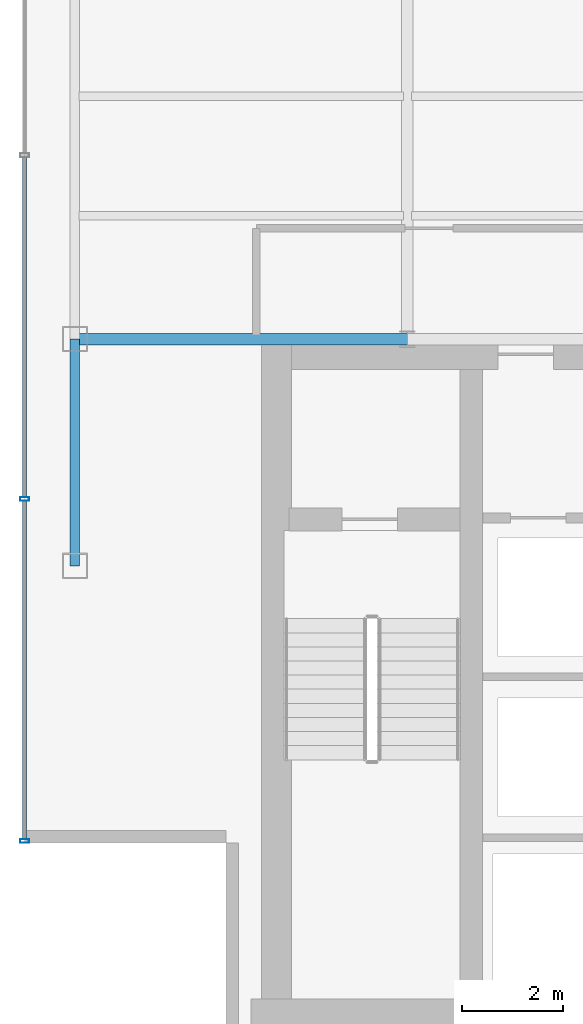
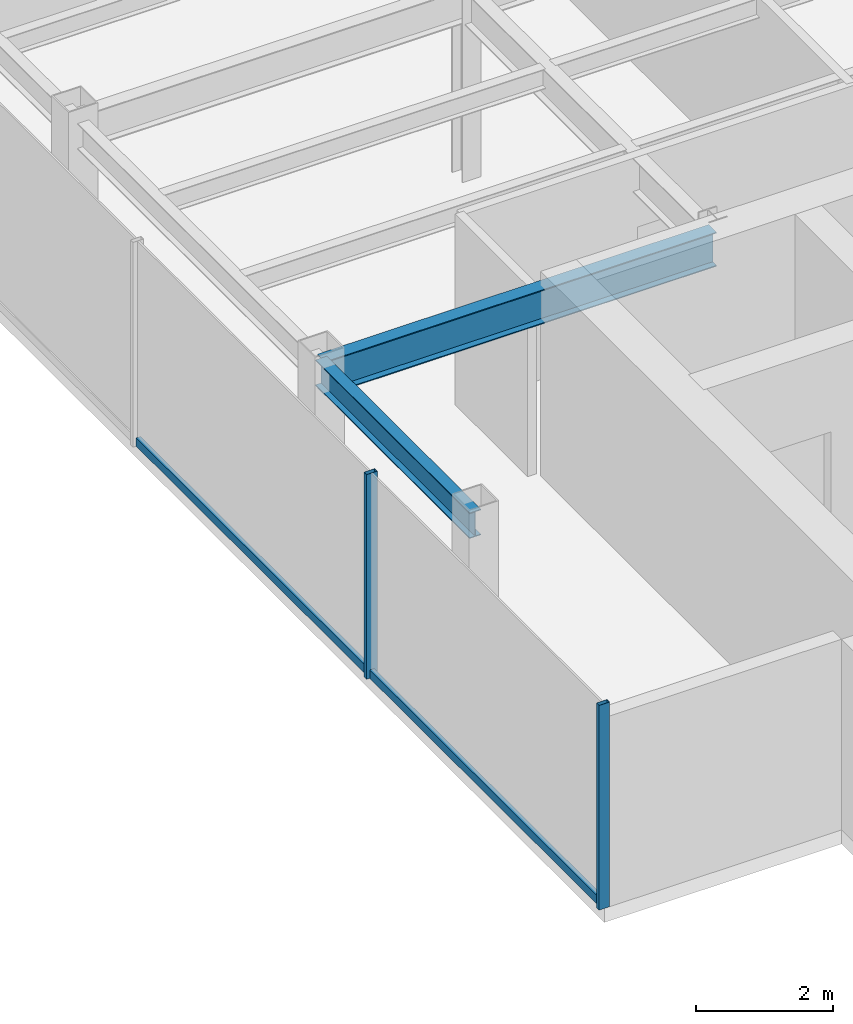
# One storey, part 3 of 22: 4 members, 2 beams, 1 element without a shape of its own.
"""IFC4 building model written with IfcOpenShell, lengths in metres."""

import ifcopenshell
import ifcopenshell.guid

model = None  # the IFC model being written
_history = None  # IfcOwnerHistory: only IFC2X3 demands one
_inside = {}  # id of a spatial element -> (the spatial element, [elements in it])
_under = {}  # id of a project, library or spatial element -> (it, [spatial elements below it])
_declared = {}  # id of a project -> (the project, [libraries it declares])
_typed = {}  # id of a type object -> (the type object, [elements of that type])
_made_of = {}  # id of a material, layer set ... -> (it, [elements and type objects made of it])


def new_model(schema):
    """Start an empty IFC model of exactly this schema.

    Asked for "IFC4X3", IfcOpenShell would pick the latest addendum, in which some entities
    have other attributes; the version numbers below select the first issue.
    IFC2X3 requires an IfcOwnerHistory on every rooted entity: one is made here for all.
    """
    global model, _history
    if schema == "IFC4X3":
        model = ifcopenshell.file(schema_version=(4, 3, 0, 0))
    else:
        model = ifcopenshell.file(schema=schema)
    _inside.clear()
    _under.clear()
    _declared.clear()
    _typed.clear()
    _made_of.clear()
    _history = None
    if model.schema == "IFC2X3":
        org = make("IfcOrganization", Name="unknown")
        user = make(
            "IfcPersonAndOrganization",
            ThePerson=make("IfcPerson", FamilyName="unknown"),
            TheOrganization=org,
        )
        app = make(
            "IfcApplication",
            ApplicationDeveloper=org,
            Version="unknown",
            ApplicationFullName="unknown",
            ApplicationIdentifier="unknown",
        )
        _history = make(
            "IfcOwnerHistory",
            OwningUser=user,
            OwningApplication=app,
            ChangeAction="ADDED",
            CreationDate=0,
        )
    return model


def make(cls, **values):
    """One entity of the class cls with the attributes given. An attribute that is None is left unset."""
    return model.create_entity(
        cls, **{name: value for name, value in values.items() if value is not None}
    )


def rooted(cls, **values):
    """An entity with a GlobalId (a new one), such as an element, a storey or a relation."""
    return make(cls, GlobalId=ifcopenshell.guid.new(), OwnerHistory=_history, **values)


def si_unit(unit_type, name, prefix=None):
    """IfcSIUnit, for example si_unit("LENGTHUNIT", "METRE", prefix="MILLI")."""
    return make("IfcSIUnit", UnitType=unit_type, Prefix=prefix, Name=name)


def derived_unit(unit_type, elements):
    """IfcDerivedUnit: a product of units, each with its exponent."""
    return make(
        "IfcDerivedUnit",
        Elements=[
            make("IfcDerivedUnitElement", Unit=unit, Exponent=power)
            for unit, power in elements
        ],
        UnitType=unit_type,
    )


def assignment(units):
    """IfcUnitAssignment: the units of a project."""
    return None if units is None else make("IfcUnitAssignment", Units=units)


def point(xyz):
    """IfcCartesianPoint."""
    return None if xyz is None else make("IfcCartesianPoint", Coordinates=xyz)


def direction(xyz):
    """IfcDirection."""
    return None if xyz is None else make("IfcDirection", DirectionRatios=xyz)


def frame(location, z_axis=None, x_axis=None):
    """IfcAxis2Placement3D, a coordinate frame: its origin and axes. An axis left out is left unset."""
    return make(
        "IfcAxis2Placement3D",
        Location=point(location),
        Axis=direction(z_axis),
        RefDirection=direction(x_axis),
    )


def frame_2d(location, x_axis=None):
    """IfcAxis2Placement2D, a coordinate frame in the plane: its origin and x axis."""
    return make(
        "IfcAxis2Placement2D", Location=point(location), RefDirection=direction(x_axis)
    )


def origin():
    """The frame at (0, 0, 0) with its axes left unset."""
    return frame((0.0, 0.0, 0.0))


def origin_2d():
    """The frame at (0, 0) in the plane with its x axis left unset."""
    return frame_2d((0.0, 0.0))


def place(relative_to, where):
    """IfcLocalPlacement: puts the frame where relative to a parent placement (None: the world)."""
    return make(
        "IfcLocalPlacement", PlacementRelTo=relative_to, RelativePlacement=where
    )


def context(
    kind, dimensions, precision=None, world=None, true_north=None, identifier=None
):
    """IfcGeometricRepresentationContext, for example the 3D "Model" context."""
    return make(
        "IfcGeometricRepresentationContext",
        ContextIdentifier=identifier,
        ContextType=kind,
        CoordinateSpaceDimension=dimensions,
        Precision=precision,
        WorldCoordinateSystem=world,
        TrueNorth=true_north,
    )


def subcontext(parent, identifier, kind, view, scale=None):
    """IfcGeometricRepresentationSubContext, for example "Body" below "Model"."""
    return make(
        "IfcGeometricRepresentationSubContext",
        ContextIdentifier=identifier,
        ContextType=kind,
        ParentContext=parent,
        TargetScale=scale,
        TargetView=view,
    )


def project(units=None, contexts=None):
    """IfcProject with its units and contexts."""
    return rooted(
        "IfcProject",
        Name="project",
        RepresentationContexts=contexts,
        UnitsInContext=assignment(units),
    )


def spatial(cls, under=None, at=None, **own):
    """A site, building, storey or space (cls), placed at a placement, below another one or the project."""
    s = rooted(cls, ObjectPlacement=at, **own)
    if under is not None:
        _under.setdefault(under.id(), (under, []))[1].append(s)
    return s


def profile(cls, at=None, kind="AREA", **sizes):
    """A parametric profile (cls). Its sizes go by their IFC names, for example OverallWidth=200.0."""
    return make(cls, ProfileType=kind, Position=at, **sizes)


def hollow_rectangle(**sizes):
    """IfcRectangleHollowProfileDef."""
    return profile("IfcRectangleHollowProfileDef", **sizes)


def i_section(**sizes):
    """IfcIShapeProfileDef."""
    return profile("IfcIShapeProfileDef", **sizes)


def extrude(swept, where, along, depth):
    """IfcExtrudedAreaSolid: the profile swept, set in the frame where, extruded along a direction by depth."""
    return make(
        "IfcExtrudedAreaSolid",
        SweptArea=swept,
        Position=where,
        ExtrudedDirection=direction(along),
        Depth=depth,
    )


def shape(context_of_items, identifier, shape_type, items):
    """IfcShapeRepresentation: the items that make up one representation, for example the "Body"."""
    return make(
        "IfcShapeRepresentation",
        ContextOfItems=context_of_items,
        RepresentationIdentifier=identifier,
        RepresentationType=shape_type,
        Items=items,
    )


def source(mapping_origin, context_of_items, identifier, shape_type, items):
    """IfcRepresentationMap: a shape defined once, which mapped items show again and again."""
    return make(
        "IfcRepresentationMap",
        MappingOrigin=mapping_origin,
        MappedRepresentation=shape(context_of_items, identifier, shape_type, items),
    )


def transform(
    local_origin,
    x_axis=None,
    y_axis=None,
    z_axis=None,
    scale=None,
    scale2=None,
    scale3=None,
    uniform=True,
):
    """IfcCartesianTransformationOperator3D, or its non-uniform kind. x_axis, y_axis, z_axis: its Axis1, 2, 3."""
    if uniform:
        return make(
            "IfcCartesianTransformationOperator3D",
            Axis1=direction(x_axis),
            Axis2=direction(y_axis),
            LocalOrigin=point(local_origin),
            Scale=scale,
            Axis3=direction(z_axis),
        )
    return make(
        "IfcCartesianTransformationOperator3DnonUniform",
        Axis1=direction(x_axis),
        Axis2=direction(y_axis),
        LocalOrigin=point(local_origin),
        Scale=scale,
        Axis3=direction(z_axis),
        Scale2=scale2,
        Scale3=scale3,
    )


def mapped(mapping_source, mapping_target):
    """IfcMappedItem: shows the shape of a source again, moved by a transform."""
    return make(
        "IfcMappedItem", MappingSource=mapping_source, MappingTarget=mapping_target
    )


def material(Name=None, Category=None):
    """IfcMaterial."""
    return make("IfcMaterial", Name=Name, Category=Category)


def material_profile(
    of_material, cross_section, Name=None, Category=None, Priority=None
):
    """IfcMaterialProfile: a cross section and its material."""
    return make(
        "IfcMaterialProfile",
        Name=Name,
        Material=of_material,
        Profile=cross_section,
        Priority=Priority,
        Category=Category,
    )


def profile_set(profiles, Name=None, composite=None):
    """IfcMaterialProfileSet."""
    return make(
        "IfcMaterialProfileSet",
        Name=Name,
        MaterialProfiles=profiles,
        CompositeProfile=composite,
    )


def made_of(thing, what):
    """Note that an element or type object is made of a material, layer set ...; save() writes the relation."""
    if what is not None:
        _made_of.setdefault(what.id(), (what, []))[1].append(thing)
    return thing


def type_object(cls, material=None, **own):
    """A type object (cls), such as IfcWallType, which elements share."""
    return made_of(rooted(cls, **own), material)


def element(
    cls,
    number,
    at=None,
    inside=None,
    cuts=None,
    type_object=None,
    material=None,
    context=None,
    identifier="Body",
    shape_type=None,
    held_by="IfcProductDefinitionShape",
    body=None,
    shapes=None,
    **own,
):
    """One element of the class cls, such as IfcWall. Its Tag is "e" and its number.

    at: its placement. inside: the storey or other place that contains it. cuts: it is an
    opening in that element (IfcRelVoidsElement). A single representation is given by context,
    identifier, shape_type and body (its items); several are given by shapes. held_by: the class
    of the entity that holds the representations. save() writes the other relations.
    """
    e = rooted(cls, Tag="e%d" % number, ObjectPlacement=at, **own)
    if body is not None:
        shapes = [shape(context, identifier, shape_type, body)]
    if shapes is not None:
        e.Representation = make(held_by, Representations=shapes)
    if inside is not None:
        _inside.setdefault(inside.id(), (inside, []))[1].append(e)
    if cuts is not None:
        rooted(
            "IfcRelVoidsElement", RelatingBuildingElement=cuts, RelatedOpeningElement=e
        )
    if type_object is not None:
        _typed.setdefault(type_object.id(), (type_object, []))[1].append(e)
    return made_of(e, material)


def aggregate(whole, parts):
    """IfcRelAggregates: a whole, such as a stair, and the parts it consists of."""
    return rooted("IfcRelAggregates", RelatingObject=whole, RelatedObjects=parts)


def save(model, path):
    """Write the relations noted so far, then the file.

    IfcRelAggregates (storeys below a building ...), IfcRelContainedInSpatialStructure (elements
    in a storey), IfcRelDefinesByType, IfcRelAssociatesMaterial and IfcRelDeclares: one each for
    every whole, place, type object, material and project.
    """
    for whole, parts in _under.values():
        aggregate(whole, parts)
    for where, things in _inside.values():
        rooted(
            "IfcRelContainedInSpatialStructure",
            RelatedElements=things,
            RelatingStructure=where,
        )
    for kind, things in _typed.values():
        rooted("IfcRelDefinesByType", RelatedObjects=things, RelatingType=kind)
    for what, things in _made_of.values():
        rooted("IfcRelAssociatesMaterial", RelatedObjects=things, RelatingMaterial=what)
    for by, libraries in _declared.values():
        rooted("IfcRelDeclares", RelatingContext=by, RelatedDefinitions=libraries)
    model.write(path)


model = new_model("IFC4")

# Units and contexts
model_context = context("Model", 3, precision=1e-05, world=origin(), true_north=direction((0.0, 1.0)))
body_context = subcontext(model_context, "Body", "Model", "MODEL_VIEW")
ifc_project = project(units=[si_unit("LENGTHUNIT", "METRE"), si_unit("AREAUNIT", "SQUARE_METRE"), si_unit("VOLUMEUNIT", "CUBIC_METRE"), si_unit("PLANEANGLEUNIT", "RADIAN"), si_unit("MASSUNIT", "GRAM", prefix="KILO"), derived_unit("THERMALTRANSMITTANCEUNIT", [(si_unit("POWERUNIT", "WATT"), 1), (si_unit("LENGTHUNIT", "METRE"), -2), (si_unit("THERMODYNAMICTEMPERATUREUNIT", "KELVIN"), -1)])], contexts=[model_context])

# Site, building, storey
site_placement = place(None, origin())
site = spatial("IfcSite", under=ifc_project, at=site_placement, CompositionType="ELEMENT")
building_placement = place(site_placement, origin())
building = spatial("IfcBuilding", under=site, at=building_placement, Name="Skarnbrae Concourse Arena and Tower", CompositionType="ELEMENT")
storey_placement = place(building_placement, frame((0.0, 0.0, 192.25)))
storey = spatial("IfcBuildingStorey", under=building, at=storey_placement, Name="L49", CompositionType="ELEMENT", Elevation=192.25)

# Beams
ifc_material_1 = material(Name="Steel CSA G40.21 350W", Category="steel")
ifc_material_profile_1 = material_profile(ifc_material_1, i_section(OverallWidth=0.22802734375, OverallDepth=0.60791015625, WebThickness=0.01123046875, FlangeThickness=0.017333984375, at=origin_2d()), Name="W610X113")
ifc_profile_set_1 = profile_set([ifc_material_profile_1], Name="Steel CSA G40.21 350W")
beam_type_1 = type_object("IfcBeamType", Name="BM-GIRD-W610X113", PredefinedType="BEAM", material=ifc_profile_set_1)
shared_shape_1 = source(origin(), body_context, "Body", "SweptSolid", [
    extrude(i_section(OverallWidth=0.22802734375, OverallDepth=0.60791015625, WebThickness=0.01123046875, FlangeThickness=0.017333984375, at=origin_2d()), origin(), (0.0, 0.0, 1.0), 6.60009765625),
])
beam_1_placement = place(storey_placement, frame((1.0, 14.0, 3.095947265625), z_axis=(1.0, 0.0, 0.0), x_axis=(0.0, 1.0, 0.0)))
element("IfcBeam", 1, at=beam_1_placement, inside=storey, type_object=beam_type_1, Name="L49 Primary E-W girder Y14.0-1", PredefinedType="BEAM", context=body_context, shape_type="MappedRepresentation", body=[
    mapped(shared_shape_1, transform((0.0, 0.0, 0.0))),
])
ifc_material_profile_2 = material_profile(ifc_material_1, i_section(OverallWidth=0.19091796875, OverallDepth=0.4599609375, WebThickness=0.010009765625, FlangeThickness=0.01611328125, at=origin_2d()), Name="W460X82")
ifc_profile_set_2 = profile_set([ifc_material_profile_2], Name="Steel CSA G40.21 350W")
beam_type_2 = type_object("IfcBeamType", Name="BM-SPAN-W460X82", PredefinedType="SPANDREL", material=ifc_profile_set_2)
shared_shape_2 = source(origin(), body_context, "Body", "SweptSolid", [
    extrude(i_section(OverallWidth=0.19091796875, OverallDepth=0.4599609375, WebThickness=0.010009765625, FlangeThickness=0.01611328125, at=origin_2d()), origin(), (0.0, 0.0, 1.0), 4.5),
])
beam_2_placement = place(storey_placement, frame((1.0, 9.5, 3.169921875), z_axis=(0.0, 1.0, 0.0), x_axis=(-1.0, 0.0, 0.0)))
element("IfcBeam", 2, at=beam_2_placement, inside=storey, type_object=beam_type_2, Name="L49 Perimeter spandrel X1.0-1", PredefinedType="SPANDREL", context=body_context, shape_type="MappedRepresentation", body=[
    mapped(shared_shape_2, transform((0.0, 0.0, 0.0))),
])

# Curtain wall, members
ifc_material_2 = material(Name="Bronze anodised aluminium 6063-T6", Category="aluminium")
curtain_wall_type = type_object("IfcCurtainWallType", Name="CW-SYS-05-HIGHZONE", PredefinedType="USERDEFINED", material=ifc_material_2)
curtain_wall_placement = place(storey_placement, origin())
curtain_wall = element("IfcCurtainWall", 3, at=curtain_wall_placement, inside=storey, type_object=curtain_wall_type, Name="L49 Unitised curtain wall CW-L49-E18", ObjectType="UNITISED CURTAIN WALL", PredefinedType="USERDEFINED")
ifc_material_profile_3 = material_profile(ifc_material_2, hollow_rectangle(XDim=0.074951171875, YDim=0.179931640625, WallThickness=0.00390625, at=origin_2d()), Name="ALU-MULL-75X180")
ifc_profile_set_3 = profile_set([ifc_material_profile_3], Name="Bronze anodised aluminium 6063-T6")
member_type_1 = type_object("IfcMemberType", Name="CWM-CW-05", PredefinedType="MULLION", material=ifc_profile_set_3)
shared_shape_3 = source(origin(), body_context, "Body", "SweptSolid", [
    extrude(hollow_rectangle(XDim=0.074951171875, YDim=0.179931640625, WallThickness=0.00390625, at=origin_2d()), origin(), (0.0, 0.0, 1.0), 3.64990234375),
])
member_1_placement = place(storey_placement, frame((0.0, 10.824951171875, 0.0), z_axis=(0.0, 0.0, 1.0), x_axis=(0.0, -1.0, 0.0)))
member_1 = element("IfcMember", 4, at=member_1_placement, type_object=member_type_1, Name="CW-L49-E18 Mullion 4", PredefinedType="MULLION", context=body_context, shape_type="MappedRepresentation", body=[
    mapped(shared_shape_3, transform((0.0, 0.0, 0.0))),
])
member_2_placement = place(storey_placement, frame((0.0, 4.03759765625, 0.0), z_axis=(0.0, 0.0, 1.0), x_axis=(0.0, -1.0, 0.0)))
member_2 = element("IfcMember", 5, at=member_2_placement, type_object=member_type_1, Name="CW-L49-E18 Mullion 5", PredefinedType="MULLION", context=body_context, shape_type="MappedRepresentation", body=[
    mapped(shared_shape_3, transform((0.0, 0.0, 0.0))),
])
ifc_material_profile_4 = material_profile(ifc_material_2, hollow_rectangle(XDim=0.074951171875, YDim=0.14990234375, WallThickness=0.00390625, at=origin_2d()), Name="ALU-TRAN-75X150")
ifc_profile_set_4 = profile_set([ifc_material_profile_4], Name="Bronze anodised aluminium 6063-T6")
member_type_2 = type_object("IfcMemberType", Name="CWT-CW-05", PredefinedType="USERDEFINED", material=ifc_profile_set_4)
shared_shape_4 = source(origin(), body_context, "Body", "SweptSolid", [
    extrude(hollow_rectangle(XDim=0.074951171875, YDim=0.14990234375, WallThickness=0.00390625, at=origin_2d()), origin(), (0.0, 0.0, 1.0), 6.712646484375),
])
member_3_placement = place(storey_placement, frame((0.0, 10.78759765625, 0.074951171875), z_axis=(0.0, -1.0, 0.0), x_axis=(1.0, 0.0, 0.0)))
member_3 = element("IfcMember", 6, at=member_3_placement, type_object=member_type_2, Name="CW-L49-E18 Transom 4", ObjectType="TRANSOM", PredefinedType="USERDEFINED", context=body_context, shape_type="MappedRepresentation", body=[
    mapped(shared_shape_4, transform((0.0, 0.0, 0.0))),
])
shared_shape_5 = source(origin(), body_context, "Body", "SweptSolid", [
    extrude(hollow_rectangle(XDim=0.074951171875, YDim=0.14990234375, WallThickness=0.00390625, at=origin_2d()), origin(), (0.0, 0.0, 1.0), 6.75),
])
member_4_placement = place(storey_placement, frame((0.0, 17.612548828125, 0.074951171875), z_axis=(0.0, -1.0, 0.0), x_axis=(1.0, 0.0, 0.0)))
member_4 = element("IfcMember", 7, at=member_4_placement, type_object=member_type_2, Name="CW-L49-E18 Transom 3", ObjectType="TRANSOM", PredefinedType="USERDEFINED", context=body_context, shape_type="MappedRepresentation", body=[
    mapped(shared_shape_5, transform((0.0, 0.0, 0.0))),
])
aggregate(curtain_wall, [member_1, member_2, member_4, member_3])

save(model, "model.ifc")
